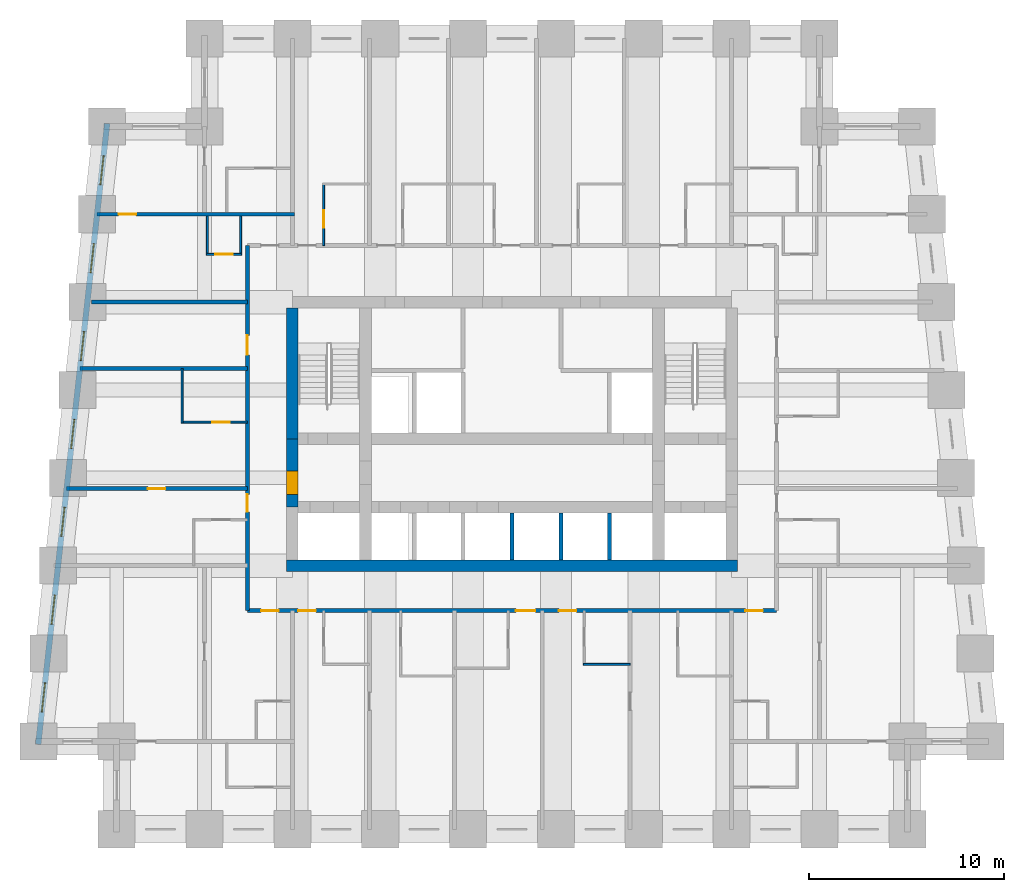
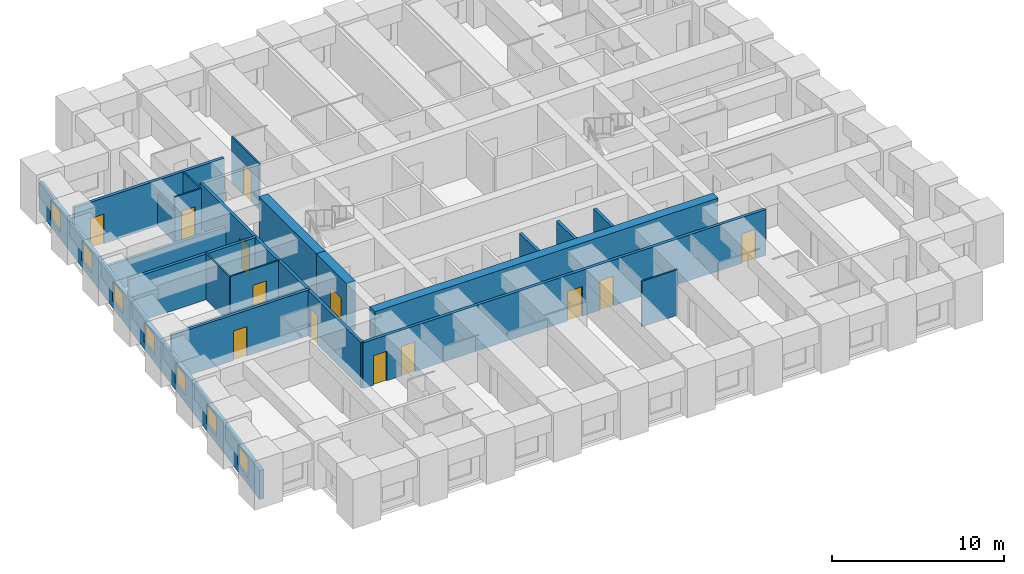
# One storey, part 3 of 8: 20 walls, 13 doors, 7 windows, 20 openings.
"""IFC4 building model written with IfcOpenShell, lengths in metres."""

from ifc_helpers import new_model, si_unit, direction, frame, frame_2d, origin, place, context, subcontext, project, spatial, rectangle, extrude, material, layer, layer_set, type_object, element, fill, save


model = new_model("IFC4")

# Units and contexts
model_context = context("Model", 3, precision=1e-05, world=origin(), true_north=direction((0.0, 1.0)))
body_context = subcontext(model_context, "Body", "Model", "MODEL_VIEW")
ifc_project = project(units=[si_unit("LENGTHUNIT", "METRE"), si_unit("AREAUNIT", "SQUARE_METRE"), si_unit("VOLUMEUNIT", "CUBIC_METRE"), si_unit("PLANEANGLEUNIT", "RADIAN"), si_unit("MASSUNIT", "GRAM", prefix="KILO")], contexts=[model_context])

# Site, building, storey
site_placement = place(None, origin())
site = spatial("IfcSite", under=ifc_project, at=site_placement, CompositionType="ELEMENT")
building_placement = place(site_placement, origin())
building = spatial("IfcBuilding", under=site, at=building_placement, Name="Kilele Tower Hotel", CompositionType="ELEMENT")
storey_placement = place(building_placement, frame((0.0, 0.0, 57.699951171875)))
storey = spatial("IfcBuildingStorey", under=building, at=storey_placement, Name="L13", CompositionType="ELEMENT", Elevation=57.699951171875)

# Wall
ifc_material_1 = material(Name="Moisture-resistant board")
ifc_layer_1 = layer(ifc_material_1, 0.10009765625)
ifc_layer_set_1 = layer_set([ifc_layer_1], Name="Moisture-resistant board")
wall_type_1 = type_object("IfcWallType", Name="Bathroom partition 100", PredefinedType="PLUMBINGWALL", material=ifc_layer_set_1)
wall_1_placement = place(storey_placement, frame((28.39990234375, 8.449951171875, 0.0), z_axis=(0.0, 0.0, 1.0), x_axis=(1.0, 0.0, 0.0)))
element("IfcWall", 1, at=wall_1_placement, inside=storey, type_object=wall_type_1, Name="Bathroom partition 100 L13", PredefinedType="PLUMBINGWALL", context=body_context, shape_type="SweptSolid", body=[
    extrude(rectangle(XDim=2.400146484375, YDim=0.10009765625, at=frame_2d((1.2001953125, 0.0))), origin(), (0.0, 0.0, 1.0), 3.25),
])

# Wall, opening, door
wall_2_placement = place(storey_placement, frame((15.10009765625, 29.89990234375, 0.0), z_axis=(0.0, 0.0, 1.0), x_axis=(0.0, 1.0, 0.0)))
wall_2 = element("IfcWall", 2, at=wall_2_placement, inside=storey, type_object=wall_type_1, Name="Bathroom partition 100 L13", PredefinedType="PLUMBINGWALL", context=body_context, shape_type="SweptSolid", body=[
    extrude(rectangle(XDim=3.2001953125, YDim=0.10009765625, at=frame_2d((1.60009765625, 0.0))), origin(), (0.0, 0.0, 1.0), 3.25),
])
opening_1_placement = place(wall_2_placement, frame((0.89990234375, 0.0, 0.0)))
opening_1 = element("IfcOpeningElement", 3, at=opening_1_placement, cuts=wall_2, Name="Opening D2A", PredefinedType="OPENING", context=body_context, shape_type="SweptSolid", body=[
    extrude(rectangle(XDim=0.89990234375, YDim=2.10009765625, at=frame_2d((0.449951171875, 1.050048828125))), frame((0.0, 0.06005859375, 0.0), z_axis=(0.0, -1.0, 0.0), x_axis=(1.0, 0.0, 0.0)), (0.0, 0.0, 1.0), 0.1201171875),
])
ifc_material_2 = material(Name="Timber door leaf in hardwood frame", Category="wood")
door_type_1 = type_object("IfcDoorType", Name="Bathroom door 900", OperationType="SINGLE_SWING_LEFT", PredefinedType="DOOR", material=ifc_material_2)
door_1_placement = place(opening_1_placement, origin())
door_1 = element("IfcDoor", 4, at=door_1_placement, inside=storey, type_object=door_type_1, Name="Bathroom door 1309B", OperationType="SINGLE_SWING_LEFT", OverallHeight=2.10009765625, OverallWidth=0.89990234375, PredefinedType="DOOR", context=body_context, shape_type="SweptSolid", body=[
    extrude(rectangle(XDim=0.89990234375, YDim=2.10009765625, at=frame_2d((0.449951171875, 1.050048828125))), frame((0.0, 0.02490234375, 0.0), z_axis=(0.0, -1.0, 0.0), x_axis=(1.0, 0.0, 0.0)), (0.0, 0.0, 1.0), 0.050048828125),
])
fill(opening_1, door_1)

# Wall
wall_3_placement = place(storey_placement, frame((7.85009765625, 20.800048828125, 0.0), z_axis=(0.0, 0.0, 1.0), x_axis=(0.0, 1.0, 0.0)))
element("IfcWall", 5, at=wall_3_placement, inside=storey, type_object=wall_type_1, Name="Bathroom partition 100 L13", PredefinedType="PLUMBINGWALL", context=body_context, shape_type="SweptSolid", body=[
    extrude(rectangle(XDim=2.800048828125, YDim=0.10009765625, at=frame_2d((1.39990234375, 0.0))), origin(), (0.0, 0.0, 1.0), 3.25),
])

# Wall, opening, door
wall_4_placement = place(storey_placement, frame((11.199951171875, 20.85009765625, 0.0), z_axis=(0.0, 0.0, 1.0), x_axis=(-1.0, 0.0, 0.0)))
wall_4 = element("IfcWall", 6, at=wall_4_placement, inside=storey, type_object=wall_type_1, Name="Bathroom partition 100 L13", PredefinedType="PLUMBINGWALL", context=body_context, shape_type="SweptSolid", body=[
    extrude(rectangle(XDim=3.39990234375, YDim=0.10009765625, at=frame_2d((1.699951171875, 0.0))), origin(), (0.0, 0.0, 1.0), 3.25),
])
opening_2_placement = place(wall_4_placement, frame((0.89990234375, 0.0, 0.0)))
opening_2 = element("IfcOpeningElement", 7, at=opening_2_placement, cuts=wall_4, Name="Opening D2A", PredefinedType="OPENING", context=body_context, shape_type="SweptSolid", body=[
    extrude(rectangle(XDim=0.89990234375, YDim=2.10009765625, at=frame_2d((0.449951171875, 1.050048828125))), frame((0.0, 0.06005859375, 0.0), z_axis=(0.0, -1.0, 0.0), x_axis=(1.0, 0.0, 0.0)), (0.0, 0.0, 1.0), 0.1201171875),
])
door_2_placement = place(opening_2_placement, origin())
door_2 = element("IfcDoor", 8, at=door_2_placement, inside=storey, type_object=door_type_1, Name="Bathroom door 1315B", OperationType="SINGLE_SWING_LEFT", OverallHeight=2.10009765625, OverallWidth=0.89990234375, PredefinedType="DOOR", context=body_context, shape_type="SweptSolid", body=[
    extrude(rectangle(XDim=0.89990234375, YDim=2.10009765625, at=frame_2d((0.449951171875, 1.050048828125))), frame((0.0, 0.02490234375, 0.0), z_axis=(0.0, -1.0, 0.0), x_axis=(1.0, 0.0, 0.0)), (0.0, 0.0, 1.0), 0.050048828125),
])
fill(opening_2, door_2)

# Walls
wall_5_placement = place(storey_placement, frame((9.14990234375, 31.39990234375, 0.0), z_axis=(0.0, 0.0, 1.0), x_axis=(0.0, -1.0, 0.0)))
element("IfcWall", 9, at=wall_5_placement, inside=storey, type_object=wall_type_1, Name="Bathroom partition 100 L13", PredefinedType="PLUMBINGWALL", context=body_context, shape_type="SweptSolid", body=[
    extrude(rectangle(XDim=2.0, YDim=0.10009765625, at=frame_2d((1.0, 0.0))), origin(), (0.0, 0.0, 1.0), 2.25),
])
wall_6_placement = place(storey_placement, frame((10.85009765625, 31.39990234375, 0.0), z_axis=(0.0, 0.0, 1.0), x_axis=(0.0, -1.0, 0.0)))
element("IfcWall", 10, at=wall_6_placement, inside=storey, type_object=wall_type_1, Name="Bathroom partition 100 L13", PredefinedType="PLUMBINGWALL", context=body_context, shape_type="SweptSolid", body=[
    extrude(rectangle(XDim=2.0, YDim=0.10009765625, at=frame_2d((1.0, 0.0))), origin(), (0.0, 0.0, 1.0), 3.25),
])

# Wall, opening, door
wall_7_placement = place(storey_placement, frame((10.89990234375, 29.449951171875, 0.0), z_axis=(0.0, 0.0, 1.0), x_axis=(-1.0, 0.0, 0.0)))
wall_7 = element("IfcWall", 11, at=wall_7_placement, inside=storey, type_object=wall_type_1, Name="Bathroom partition 100 L13", PredefinedType="PLUMBINGWALL", context=body_context, shape_type="SweptSolid", body=[
    extrude(rectangle(XDim=1.7998046875, YDim=0.10009765625, at=frame_2d((0.89990234375, 0.0))), origin(), (0.0, 0.0, 1.0), 3.25),
])
opening_3_placement = place(wall_7_placement, frame((0.449951171875, 0.0, 0.0)))
opening_3 = element("IfcOpeningElement", 12, at=opening_3_placement, cuts=wall_7, Name="Opening D2A", PredefinedType="OPENING", context=body_context, shape_type="SweptSolid", body=[
    extrude(rectangle(XDim=0.89990234375, YDim=2.10009765625, at=frame_2d((0.449951171875, 1.050048828125))), frame((0.0, 0.06005859375, 0.0), z_axis=(0.0, -1.0, 0.0), x_axis=(1.0, 0.0, 0.0)), (0.0, 0.0, 1.0), 0.1201171875),
])
door_3_placement = place(opening_3_placement, origin())
door_3 = element("IfcDoor", 13, at=door_3_placement, inside=storey, type_object=door_type_1, Name="Bathroom door 1326P", OperationType="SINGLE_SWING_LEFT", OverallHeight=2.10009765625, OverallWidth=0.89990234375, PredefinedType="DOOR", context=body_context, shape_type="SweptSolid", body=[
    extrude(rectangle(XDim=0.89990234375, YDim=2.10009765625, at=frame_2d((0.449951171875, 1.050048828125))), frame((0.0, 0.02490234375, 0.0), z_axis=(0.0, -1.0, 0.0), x_axis=(1.0, 0.0, 0.0)), (0.0, 0.0, 1.0), 0.050048828125),
])
fill(opening_3, door_3)

# Walls
ifc_material_3 = material(Name="Concrete C60/75", Category="concrete")
ifc_layer_2 = layer(ifc_material_3, 0.60009765625)
ifc_layer_set_2 = layer_set([ifc_layer_2], Name="Concrete C60/75")
wall_type_2 = type_object("IfcWallType", Name="Core wall 600 C60/75", PredefinedType="SHEAR", material=ifc_layer_set_2)
wall_8_placement = place(storey_placement, frame((13.199951171875, 13.5, 0.0), z_axis=(0.0, 0.0, 1.0), x_axis=(1.0, 0.0, 0.0)))
element("IfcWall", 14, at=wall_8_placement, inside=storey, type_object=wall_type_2, Name="Core wall S L13", PredefinedType="SHEAR", context=body_context, shape_type="SweptSolid", body=[
    extrude(rectangle(XDim=23.10009765625, YDim=0.60009765625, at=frame_2d((11.550048828125, 0.0))), origin(), (0.0, 0.0, 1.0), 3.5),
])
wall_9_placement = place(storey_placement, frame((13.5, 26.699951171875, 0.0), z_axis=(0.0, 0.0, 1.0), x_axis=(0.0, -1.0, 0.0)))
element("IfcWall", 15, at=wall_9_placement, inside=storey, type_object=wall_type_2, Name="Core wall W1 L13", PredefinedType="SHEAR", context=body_context, shape_type="SweptSolid", body=[
    extrude(rectangle(XDim=6.699951171875, YDim=0.60009765625, at=frame_2d((3.35009765625, 0.0))), origin(), (0.0, 0.0, 1.0), 3.5),
])

# Wall, opening, door
wall_10_placement = place(storey_placement, frame((13.5, 20.0, 0.0), z_axis=(0.0, 0.0, 1.0), x_axis=(0.0, -1.0, 0.0)))
wall_10 = element("IfcWall", 16, at=wall_10_placement, inside=storey, type_object=wall_type_2, Name="Core wall W2 L13", PredefinedType="SHEAR", context=body_context, shape_type="SweptSolid", body=[
    extrude(rectangle(XDim=3.5, YDim=0.60009765625, at=frame_2d((1.75, 0.0))), origin(), (0.0, 0.0, 1.0), 3.5),
])
opening_4_placement = place(wall_10_placement, frame((1.64990234375, 0.0, 0.0)))
opening_4 = element("IfcOpeningElement", 17, at=opening_4_placement, cuts=wall_10, Name="Opening D4", PredefinedType="OPENING", context=body_context, shape_type="SweptSolid", body=[
    extrude(rectangle(XDim=1.199951171875, YDim=2.10009765625, at=frame_2d((0.60009765625, 1.050048828125))), frame((0.0, 0.31005859375, 0.0), z_axis=(0.0, -1.0, 0.0), x_axis=(1.0, 0.0, 0.0)), (0.0, 0.0, 1.0), 0.6201171875),
])
ifc_material_4 = material(Name="Timber door leaf in hardwood frame", Category="wood")
door_type_2 = type_object("IfcDoorType", Name="Firefighting lobby door 1200", OperationType="SINGLE_SWING_LEFT", PredefinedType="DOOR", material=ifc_material_4)
door_4_placement = place(opening_4_placement, origin())
door_4 = element("IfcDoor", 18, at=door_4_placement, inside=storey, type_object=door_type_2, Name="Lobby door L13", OperationType="SINGLE_SWING_RIGHT", OverallHeight=2.10009765625, OverallWidth=1.199951171875, PredefinedType="DOOR", context=body_context, shape_type="SweptSolid", body=[
    extrude(rectangle(XDim=1.199951171875, YDim=2.10009765625, at=frame_2d((0.60009765625, 1.050048828125))), frame((0.0, 0.2998046875, 0.0), z_axis=(0.0, -1.0, 0.0), x_axis=(1.0, 0.0, 0.0)), (0.0, 0.0, 1.0), 0.599609375),
])
fill(opening_4, door_4)

# Wall, openings, doors
ifc_material_5 = material(Name="Blockwork, plastered both sides", Category="masonry")
ifc_layer_3 = layer(ifc_material_5, 0.199951171875)
ifc_layer_set_3 = layer_set([ifc_layer_3], Name="Blockwork, plastered both sides")
wall_type_3 = type_object("IfcWallType", Name="Corridor wall 200", PredefinedType="PARTITIONING", material=ifc_layer_set_3)
wall_11_placement = place(storey_placement, frame((11.199951171875, 11.199951171875, 0.0), z_axis=(0.0, 0.0, 1.0), x_axis=(1.0, 0.0, 0.0)))
wall_11 = element("IfcWall", 19, at=wall_11_placement, inside=storey, type_object=wall_type_3, Name="Corridor wall 200 L13", PredefinedType="PARTITIONING", context=body_context, shape_type="SweptSolid", body=[
    extrude(rectangle(XDim=27.10009765625, YDim=0.199951171875, at=frame_2d((13.550048828125, 0.0))), origin(), (0.0, 0.0, 1.0), 3.25),
])
opening_5_placement = place(wall_11_placement, frame((3.5, 0.0, 0.0), z_axis=(0.0, 0.0, 1.0), x_axis=(-1.0, 0.0, 0.0)))
opening_5 = element("IfcOpeningElement", 20, at=opening_5_placement, cuts=wall_11, Name="Opening D1", PredefinedType="OPENING", context=body_context, shape_type="SweptSolid", body=[
    extrude(rectangle(XDim=0.89990234375, YDim=2.10009765625, at=frame_2d((0.449951171875, 1.050048828125))), frame((0.0, 0.10986328125, 0.0), z_axis=(0.0, -1.0, 0.0), x_axis=(1.0, 0.0, 0.0)), (0.0, 0.0, 1.0), 0.219970703125),
])
opening_6_placement = place(wall_11_placement, frame((14.75, 0.0, 0.0), z_axis=(0.0, 0.0, 1.0), x_axis=(-1.0, 0.0, 0.0)))
opening_6 = element("IfcOpeningElement", 21, at=opening_6_placement, cuts=wall_11, Name="Opening D1A", PredefinedType="OPENING", context=body_context, shape_type="SweptSolid", body=[
    extrude(rectangle(XDim=1.0, YDim=2.10009765625, at=frame_2d((0.5, 1.050048828125))), frame((0.0, 0.10986328125, 0.0), z_axis=(0.0, -1.0, 0.0), x_axis=(1.0, 0.0, 0.0)), (0.0, 0.0, 1.0), 0.219970703125),
])
opening_7_placement = place(wall_11_placement, frame((16.849853515625, 0.0, 0.0), z_axis=(0.0, 0.0, 1.0), x_axis=(-1.0, 0.0, 0.0)))
opening_7 = element("IfcOpeningElement", 22, at=opening_7_placement, cuts=wall_11, Name="Opening D1", PredefinedType="OPENING", context=body_context, shape_type="SweptSolid", body=[
    extrude(rectangle(XDim=0.89990234375, YDim=2.10009765625, at=frame_2d((0.449951171875, 1.050048828125))), frame((0.0, 0.10986328125, 0.0), z_axis=(0.0, -1.0, 0.0), x_axis=(1.0, 0.0, 0.0)), (0.0, 0.0, 1.0), 0.219970703125),
])
opening_8_placement = place(wall_11_placement, frame((1.599853515625, 0.0, 0.0), z_axis=(0.0, 0.0, 1.0), x_axis=(-1.0, 0.0, 0.0)))
opening_8 = element("IfcOpeningElement", 23, at=opening_8_placement, cuts=wall_11, Name="Opening D1", PredefinedType="OPENING", context=body_context, shape_type="SweptSolid", body=[
    extrude(rectangle(XDim=0.89990234375, YDim=2.10009765625, at=frame_2d((0.449951171875, 1.050048828125))), frame((0.0, 0.10986328125, 0.0), z_axis=(0.0, -1.0, 0.0), x_axis=(1.0, 0.0, 0.0)), (0.0, 0.0, 1.0), 0.219970703125),
])
opening_9_placement = place(wall_11_placement, frame((26.39990234375, 0.0, 0.0), z_axis=(0.0, 0.0, 1.0), x_axis=(-1.0, 0.0, 0.0)))
opening_9 = element("IfcOpeningElement", 24, at=opening_9_placement, cuts=wall_11, Name="Opening D1", PredefinedType="OPENING", context=body_context, shape_type="SweptSolid", body=[
    extrude(rectangle(XDim=0.89990234375, YDim=2.10009765625, at=frame_2d((0.449951171875, 1.050048828125))), frame((0.0, 0.10986328125, 0.0), z_axis=(0.0, -1.0, 0.0), x_axis=(1.0, 0.0, 0.0)), (0.0, 0.0, 1.0), 0.219970703125),
])
ifc_material_6 = material(Name="Timber door leaf in hardwood frame", Category="wood")
door_type_3 = type_object("IfcDoorType", Name="Guest room entrance door 1000", OperationType="SINGLE_SWING_LEFT", PredefinedType="DOOR", material=ifc_material_6)
door_5_placement = place(opening_6_placement, origin())
door_5 = element("IfcDoor", 25, at=door_5_placement, inside=storey, type_object=door_type_3, Name="Room entrance 1303", OperationType="SINGLE_SWING_LEFT", OverallHeight=2.10009765625, OverallWidth=1.0, PredefinedType="DOOR", context=body_context, shape_type="SweptSolid", body=[
    extrude(rectangle(XDim=1.0, YDim=2.10009765625, at=frame_2d((0.5, 1.050048828125))), frame((0.0, 0.02490234375, 0.0), z_axis=(0.0, -1.0, 0.0), x_axis=(1.0, 0.0, 0.0)), (0.0, 0.0, 1.0), 0.050048828125),
])
fill(opening_6, door_5)
ifc_material_7 = material(Name="Timber door leaf in hardwood frame", Category="wood")
door_type_4 = type_object("IfcDoorType", Name="Guest room entrance door 900", OperationType="SINGLE_SWING_LEFT", PredefinedType="DOOR", material=ifc_material_7)
door_6_placement = place(opening_5_placement, origin())
door_6 = element("IfcDoor", 26, at=door_6_placement, inside=storey, type_object=door_type_4, Name="Room entrance 1301", OperationType="SINGLE_SWING_RIGHT", OverallHeight=2.10009765625, OverallWidth=0.89990234375, PredefinedType="DOOR", context=body_context, shape_type="SweptSolid", body=[
    extrude(rectangle(XDim=0.89990234375, YDim=2.10009765625, at=frame_2d((0.449951171875, 1.050048828125))), frame((0.0, 0.02490234375, 0.0), z_axis=(0.0, -1.0, 0.0), x_axis=(1.0, 0.0, 0.0)), (0.0, 0.0, 1.0), 0.050048828125),
])
fill(opening_5, door_6)
door_7_placement = place(opening_7_placement, origin())
door_7 = element("IfcDoor", 27, at=door_7_placement, inside=storey, type_object=door_type_4, Name="Room entrance 1304", OperationType="SINGLE_SWING_LEFT", OverallHeight=2.10009765625, OverallWidth=0.89990234375, PredefinedType="DOOR", context=body_context, shape_type="SweptSolid", body=[
    extrude(rectangle(XDim=0.89990234375, YDim=2.10009765625, at=frame_2d((0.449951171875, 1.050048828125))), frame((0.0, 0.02490234375, 0.0), z_axis=(0.0, -1.0, 0.0), x_axis=(1.0, 0.0, 0.0)), (0.0, 0.0, 1.0), 0.050048828125),
])
fill(opening_7, door_7)
door_8_placement = place(opening_8_placement, origin())
door_8 = element("IfcDoor", 28, at=door_8_placement, inside=storey, type_object=door_type_4, Name="Room entrance 1317", OperationType="SINGLE_SWING_LEFT", OverallHeight=2.10009765625, OverallWidth=0.89990234375, PredefinedType="DOOR", context=body_context, shape_type="SweptSolid", body=[
    extrude(rectangle(XDim=0.89990234375, YDim=2.10009765625, at=frame_2d((0.449951171875, 1.050048828125))), frame((0.0, 0.02490234375, 0.0), z_axis=(0.0, -1.0, 0.0), x_axis=(1.0, 0.0, 0.0)), (0.0, 0.0, 1.0), 0.050048828125),
])
fill(opening_8, door_8)
door_9_placement = place(opening_9_placement, origin())
door_9 = element("IfcDoor", 29, at=door_9_placement, inside=storey, type_object=door_type_4, Name="Room entrance 1320", OperationType="SINGLE_SWING_RIGHT", OverallHeight=2.10009765625, OverallWidth=0.89990234375, PredefinedType="DOOR", context=body_context, shape_type="SweptSolid", body=[
    extrude(rectangle(XDim=0.89990234375, YDim=2.10009765625, at=frame_2d((0.449951171875, 1.050048828125))), frame((0.0, 0.02490234375, 0.0), z_axis=(0.0, -1.0, 0.0), x_axis=(1.0, 0.0, 0.0)), (0.0, 0.0, 1.0), 0.050048828125),
])
fill(opening_9, door_9)

wall_12_placement = place(storey_placement, frame((11.199951171875, 11.199951171875, 0.0), z_axis=(0.0, 0.0, 1.0), x_axis=(0.0, 1.0, 0.0)))
wall_12 = element("IfcWall", 30, at=wall_12_placement, inside=storey, type_object=wall_type_3, Name="Corridor wall 200 L13", PredefinedType="PARTITIONING", context=body_context, shape_type="SweptSolid", body=[
    extrude(rectangle(XDim=18.699951171875, YDim=0.199951171875, at=frame_2d((9.35009765625, 0.0))), origin(), (0.0, 0.0, 1.0), 3.25),
])
opening_10_placement = place(wall_12_placement, frame((5.050048828125, 0.0, 0.0)))
opening_10 = element("IfcOpeningElement", 31, at=opening_10_placement, cuts=wall_12, Name="Opening D1", PredefinedType="OPENING", context=body_context, shape_type="SweptSolid", body=[
    extrude(rectangle(XDim=0.89990234375, YDim=2.10009765625, at=frame_2d((0.449951171875, 1.050048828125))), frame((0.0, 0.10986328125, 0.0), z_axis=(0.0, -1.0, 0.0), x_axis=(1.0, 0.0, 0.0)), (0.0, 0.0, 1.0), 0.219970703125),
])
opening_11_placement = place(wall_12_placement, frame((13.10009765625, 0.0, 0.0)))
opening_11 = element("IfcOpeningElement", 32, at=opening_11_placement, cuts=wall_12, Name="Opening D8", PredefinedType="OPENING", context=body_context, shape_type="SweptSolid", body=[
    extrude(rectangle(XDim=1.0, YDim=2.10009765625, at=frame_2d((0.5, 1.050048828125))), frame((0.0, 0.10986328125, 0.0), z_axis=(0.0, -1.0, 0.0), x_axis=(1.0, 0.0, 0.0)), (0.0, 0.0, 1.0), 0.219970703125),
])
ifc_material_8 = material(Name="Timber door leaf in hardwood frame", Category="wood")
door_type_5 = type_object("IfcDoorType", Name="Door 1000", OperationType="SINGLE_SWING_LEFT", PredefinedType="DOOR", material=ifc_material_8)
door_10_placement = place(opening_11_placement, origin())
door_10 = element("IfcDoor", 33, at=door_10_placement, inside=storey, type_object=door_type_5, Name="Room entrance 1316", OperationType="SINGLE_SWING_LEFT", OverallHeight=2.10009765625, OverallWidth=1.0, PredefinedType="DOOR", context=body_context, shape_type="SweptSolid", body=[
    extrude(rectangle(XDim=1.0, YDim=2.10009765625, at=frame_2d((0.5, 1.050048828125))), frame((0.0, 0.02490234375, 0.0), z_axis=(0.0, -1.0, 0.0), x_axis=(1.0, 0.0, 0.0)), (0.0, 0.0, 1.0), 0.050048828125),
])
fill(opening_11, door_10)
door_11_placement = place(opening_10_placement, origin())
door_11 = element("IfcDoor", 34, at=door_11_placement, inside=storey, type_object=door_type_4, Name="Room entrance 1314", OperationType="SINGLE_SWING_RIGHT", OverallHeight=2.10009765625, OverallWidth=0.89990234375, PredefinedType="DOOR", context=body_context, shape_type="SweptSolid", body=[
    extrude(rectangle(XDim=0.89990234375, YDim=2.10009765625, at=frame_2d((0.449951171875, 1.050048828125))), frame((0.0, 0.02490234375, 0.0), z_axis=(0.0, -1.0, 0.0), x_axis=(1.0, 0.0, 0.0)), (0.0, 0.0, 1.0), 0.050048828125),
])
fill(opening_10, door_11)

# Wall, opening, door
ifc_material_9 = material(Name="Blockwork, plastered both sides", Category="masonry")
ifc_layer_4 = layer(ifc_material_9, 0.199951171875)
ifc_layer_set_4 = layer_set([ifc_layer_4], Name="Blockwork, plastered both sides")
wall_type_4 = type_object("IfcWallType", Name="Party wall 200", PredefinedType="PARTITIONING", material=ifc_layer_set_4)
wall_13_placement = place(storey_placement, frame((11.199951171875, 17.449951171875, 0.0), z_axis=(0.0, 0.0, 1.0), x_axis=(-1.0, 0.0, 0.0)))
wall_13 = element("IfcWall", 35, at=wall_13_placement, inside=storey, type_object=wall_type_4, Name="Party wall 200 L13", PredefinedType="PARTITIONING", context=body_context, shape_type="SweptSolid", body=[
    extrude(rectangle(XDim=9.26025390625, YDim=0.199951171875, at=frame_2d((4.630126953125, 0.0))), origin(), (0.0, 0.0, 1.0), 3.25),
])
opening_12_placement = place(wall_13_placement, frame((4.199951171875, 0.0, 0.0)))
opening_12 = element("IfcOpeningElement", 36, at=opening_12_placement, cuts=wall_13, Name="Opening D3", PredefinedType="OPENING", context=body_context, shape_type="SweptSolid", body=[
    extrude(rectangle(XDim=0.89990234375, YDim=2.10009765625, at=frame_2d((0.449951171875, 1.050048828125))), frame((0.0, 0.10986328125, 0.0), z_axis=(0.0, -1.0, 0.0), x_axis=(1.0, 0.0, 0.0)), (0.0, 0.0, 1.0), 0.219970703125),
])
ifc_material_10 = material(Name="Timber door leaf in hardwood frame", Category="wood")
door_type_6 = type_object("IfcDoorType", Name="Suite internal door 900", OperationType="SINGLE_SWING_LEFT", PredefinedType="DOOR", material=ifc_material_10)
door_12_placement = place(opening_12_placement, origin())
door_12 = element("IfcDoor", 37, at=door_12_placement, inside=storey, type_object=door_type_6, Name="Suite door 1315", OperationType="SINGLE_SWING_RIGHT", OverallHeight=2.10009765625, OverallWidth=0.89990234375, PredefinedType="DOOR", context=body_context, shape_type="SweptSolid", body=[
    extrude(rectangle(XDim=0.89990234375, YDim=2.10009765625, at=frame_2d((0.449951171875, 1.050048828125))), frame((0.0, 0.02490234375, 0.0), z_axis=(0.0, -1.0, 0.0), x_axis=(1.0, 0.0, 0.0)), (0.0, 0.0, 1.0), 0.050048828125),
])
fill(opening_12, door_12)

# Walls
wall_14_placement = place(storey_placement, frame((11.199951171875, 23.60009765625, 0.0), z_axis=(0.0, 0.0, 1.0), x_axis=(-1.0, 0.0, 0.0)))
element("IfcWall", 38, at=wall_14_placement, inside=storey, type_object=wall_type_4, Name="Party wall 200 L13", PredefinedType="PARTITIONING", context=body_context, shape_type="SweptSolid", body=[
    extrude(rectangle(XDim=8.576904296875, YDim=0.199951171875, at=frame_2d((4.28857421875, 0.0))), origin(), (0.0, 0.0, 1.0), 3.25),
])
wall_15_placement = place(storey_placement, frame((11.199951171875, 27.0, 0.0), z_axis=(0.0, 0.0, 1.0), x_axis=(-1.0, 0.0, 0.0)))
element("IfcWall", 39, at=wall_15_placement, inside=storey, type_object=wall_type_4, Name="Party wall 200 L13", PredefinedType="PARTITIONING", context=body_context, shape_type="SweptSolid", body=[
    extrude(rectangle(XDim=7.976806640625, YDim=0.199951171875, at=frame_2d((3.98828125, 0.0))), origin(), (0.0, 0.0, 1.0), 1.949951171875),
])

# Wall, opening, door
wall_16_placement = place(storey_placement, frame((13.60009765625, 31.5, 0.0), z_axis=(0.0, 0.0, 1.0), x_axis=(-1.0, 0.0, 0.0)))
wall_16 = element("IfcWall", 40, at=wall_16_placement, inside=storey, type_object=wall_type_4, Name="Party wall 200 L13", PredefinedType="PARTITIONING", context=body_context, shape_type="SweptSolid", body=[
    extrude(rectangle(XDim=10.09912109375, YDim=0.199951171875, at=frame_2d((5.049560546875, 0.0))), origin(), (0.0, 0.0, 1.0), 3.25),
])
opening_13_placement = place(wall_16_placement, frame((8.9990234375, 0.0, 0.0), z_axis=(0.0, 0.0, 1.0), x_axis=(-1.0, 0.0, 0.0)))
opening_13 = element("IfcOpeningElement", 41, at=opening_13_placement, cuts=wall_16, Name="Opening D3", PredefinedType="OPENING", context=body_context, shape_type="SweptSolid", body=[
    extrude(rectangle(XDim=0.89990234375, YDim=2.10009765625, at=frame_2d((0.449951171875, 1.050048828125))), frame((0.0, 0.10986328125, 0.0), z_axis=(0.0, -1.0, 0.0), x_axis=(1.0, 0.0, 0.0)), (0.0, 0.0, 1.0), 0.219970703125),
])
door_13_placement = place(opening_13_placement, origin())
door_13 = element("IfcDoor", 42, at=door_13_placement, inside=storey, type_object=door_type_6, Name="Suite door 1327", OperationType="SINGLE_SWING_LEFT", OverallHeight=2.10009765625, OverallWidth=0.89990234375, PredefinedType="DOOR", context=body_context, shape_type="SweptSolid", body=[
    extrude(rectangle(XDim=0.89990234375, YDim=2.10009765625, at=frame_2d((0.449951171875, 1.050048828125))), frame((0.0, 0.02490234375, 0.0), z_axis=(0.0, -1.0, 0.0), x_axis=(1.0, 0.0, 0.0)), (0.0, 0.0, 1.0), 0.050048828125),
])
fill(opening_13, door_13)

# Wall, openings, windows
ifc_material_11 = material(Name="Concrete C40/50 precast", Category="concrete")
ifc_layer_5 = layer(ifc_material_11, 0.260009765625, Name="Precast backing", Category="LoadBearing")
ifc_material_12 = material(Name="Reconstituted stone finish", Category="masonry")
ifc_layer_6 = layer(ifc_material_12, 0.0400390625, Name="Face mix", Category="Finish")
ifc_layer_set_5 = layer_set([ifc_layer_5, ifc_layer_6], Name="Precast concrete C40/50, reconstituted stone finish")
wall_type_5 = type_object("IfcWallType", Name="Precast stone facade wall 300", PredefinedType="STANDARD", material=ifc_layer_set_5)
wall_17_placement = place(storey_placement, frame((4.0166015625, 36.149169921875, 0.0), z_axis=(0.0, 0.0, 1.0), x_axis=(-0.110433201132, -0.993883548555, 0.0)))
wall_17 = element("IfcWall", 43, at=wall_17_placement, inside=storey, type_object=wall_type_5, Name="Facade wall L13 edge 12", PredefinedType="STANDARD", context=body_context, shape_type="SweptSolid", body=[
    extrude(rectangle(XDim=31.994140625, YDim=0.300048828125, at=frame_2d((15.9970703125, 0.0))), origin(), (0.0, 0.0, 1.0), 2.050048828125),
])
opening_14_placement = place(wall_17_placement, frame((1.6640625, 0.0, 0.5)))
opening_14 = element("IfcOpeningElement", 44, at=opening_14_placement, cuts=wall_17, Name="Opening W1", PredefinedType="OPENING", context=body_context, shape_type="SweptSolid", body=[
    extrude(rectangle(XDim=1.5, YDim=1.39990234375, at=frame_2d((0.75, 0.699951171875))), frame((0.0, 0.159912109375, 0.0), z_axis=(0.0, -1.0, 0.0), x_axis=(1.0, 0.0, 0.0)), (0.0, 0.0, 1.0), 0.320068359375),
])
opening_15_placement = place(wall_17_placement, frame((6.19189453125, 0.0, 0.5)))
opening_15 = element("IfcOpeningElement", 45, at=opening_15_placement, cuts=wall_17, Name="Opening W1", PredefinedType="OPENING", context=body_context, shape_type="SweptSolid", body=[
    extrude(rectangle(XDim=1.5, YDim=1.39990234375, at=frame_2d((0.75, 0.699951171875))), frame((0.0, 0.159912109375, 0.0), z_axis=(0.0, -1.0, 0.0), x_axis=(1.0, 0.0, 0.0)), (0.0, 0.0, 1.0), 0.320068359375),
])
opening_16_placement = place(wall_17_placement, frame((10.718994140625, 0.0, 0.5)))
opening_16 = element("IfcOpeningElement", 46, at=opening_16_placement, cuts=wall_17, Name="Opening W1", PredefinedType="OPENING", context=body_context, shape_type="SweptSolid", body=[
    extrude(rectangle(XDim=1.5, YDim=1.39990234375, at=frame_2d((0.75, 0.699951171875))), frame((0.0, 0.159912109375, 0.0), z_axis=(0.0, -1.0, 0.0), x_axis=(1.0, 0.0, 0.0)), (0.0, 0.0, 1.0), 0.320068359375),
])
opening_17_placement = place(wall_17_placement, frame((15.2470703125, 0.0, 0.5)))
opening_17 = element("IfcOpeningElement", 47, at=opening_17_placement, cuts=wall_17, Name="Opening W1", PredefinedType="OPENING", context=body_context, shape_type="SweptSolid", body=[
    extrude(rectangle(XDim=1.5, YDim=1.39990234375, at=frame_2d((0.75, 0.699951171875))), frame((0.0, 0.159912109375, 0.0), z_axis=(0.0, -1.0, 0.0), x_axis=(1.0, 0.0, 0.0)), (0.0, 0.0, 1.0), 0.320068359375),
])
opening_18_placement = place(wall_17_placement, frame((19.77490234375, 0.0, 0.5)))
opening_18 = element("IfcOpeningElement", 48, at=opening_18_placement, cuts=wall_17, Name="Opening W1", PredefinedType="OPENING", context=body_context, shape_type="SweptSolid", body=[
    extrude(rectangle(XDim=1.5, YDim=1.39990234375, at=frame_2d((0.75, 0.699951171875))), frame((0.0, 0.159912109375, 0.0), z_axis=(0.0, -1.0, 0.0), x_axis=(1.0, 0.0, 0.0)), (0.0, 0.0, 1.0), 0.320068359375),
])
opening_19_placement = place(wall_17_placement, frame((24.302001953125, 0.0, 0.5)))
opening_19 = element("IfcOpeningElement", 49, at=opening_19_placement, cuts=wall_17, Name="Opening W1", PredefinedType="OPENING", context=body_context, shape_type="SweptSolid", body=[
    extrude(rectangle(XDim=1.5, YDim=1.39990234375, at=frame_2d((0.75, 0.699951171875))), frame((0.0, 0.159912109375, 0.0), z_axis=(0.0, -1.0, 0.0), x_axis=(1.0, 0.0, 0.0)), (0.0, 0.0, 1.0), 0.320068359375),
])
opening_20_placement = place(wall_17_placement, frame((28.830078125, 0.0, 0.5)))
opening_20 = element("IfcOpeningElement", 50, at=opening_20_placement, cuts=wall_17, Name="Opening W1", PredefinedType="OPENING", context=body_context, shape_type="SweptSolid", body=[
    extrude(rectangle(XDim=1.5, YDim=1.39990234375, at=frame_2d((0.75, 0.699951171875))), frame((0.0, 0.159912109375, 0.0), z_axis=(0.0, -1.0, 0.0), x_axis=(1.0, 0.0, 0.0)), (0.0, 0.0, 1.0), 0.320068359375),
])
ifc_material_13 = material(Name="Aluminium frame, clear double glazing", Category="aluminium")
window_type = type_object("IfcWindowType", Name="Window W1 1500 x 1400", PartitioningType="SINGLE_PANEL", PredefinedType="WINDOW", material=ifc_material_13)
window_1_placement = place(opening_14_placement, origin())
window_1 = element("IfcWindow", 51, at=window_1_placement, inside=storey, type_object=window_type, Name="Window L13", OverallHeight=1.39990234375, OverallWidth=1.5, PartitioningType="SINGLE_PANEL", PredefinedType="WINDOW", context=body_context, shape_type="SweptSolid", body=[
    extrude(rectangle(XDim=1.5, YDim=1.39990234375, at=frame_2d((0.75, 0.699951171875))), frame((0.0, 0.030029296875, 0.0), z_axis=(0.0, -1.0, 0.0), x_axis=(1.0, 0.0, 0.0)), (0.0, 0.0, 1.0), 0.06005859375),
])
fill(opening_14, window_1)
window_2_placement = place(opening_15_placement, origin())
window_2 = element("IfcWindow", 52, at=window_2_placement, inside=storey, type_object=window_type, Name="Window L13", OverallHeight=1.39990234375, OverallWidth=1.5, PartitioningType="SINGLE_PANEL", PredefinedType="WINDOW", context=body_context, shape_type="SweptSolid", body=[
    extrude(rectangle(XDim=1.5, YDim=1.39990234375, at=frame_2d((0.75, 0.699951171875))), frame((0.0, 0.030029296875, 0.0), z_axis=(0.0, -1.0, 0.0), x_axis=(1.0, 0.0, 0.0)), (0.0, 0.0, 1.0), 0.06005859375),
])
fill(opening_15, window_2)
window_3_placement = place(opening_16_placement, origin())
window_3 = element("IfcWindow", 53, at=window_3_placement, inside=storey, type_object=window_type, Name="Window L13", OverallHeight=1.39990234375, OverallWidth=1.5, PartitioningType="SINGLE_PANEL", PredefinedType="WINDOW", context=body_context, shape_type="SweptSolid", body=[
    extrude(rectangle(XDim=1.5, YDim=1.39990234375, at=frame_2d((0.75, 0.699951171875))), frame((0.0, 0.030029296875, 0.0), z_axis=(0.0, -1.0, 0.0), x_axis=(1.0, 0.0, 0.0)), (0.0, 0.0, 1.0), 0.06005859375),
])
fill(opening_16, window_3)
window_4_placement = place(opening_17_placement, origin())
window_4 = element("IfcWindow", 54, at=window_4_placement, inside=storey, type_object=window_type, Name="Window L13", OverallHeight=1.39990234375, OverallWidth=1.5, PartitioningType="SINGLE_PANEL", PredefinedType="WINDOW", context=body_context, shape_type="SweptSolid", body=[
    extrude(rectangle(XDim=1.5, YDim=1.39990234375, at=frame_2d((0.75, 0.699951171875))), frame((0.0, 0.030029296875, 0.0), z_axis=(0.0, -1.0, 0.0), x_axis=(1.0, 0.0, 0.0)), (0.0, 0.0, 1.0), 0.06005859375),
])
fill(opening_17, window_4)
window_5_placement = place(opening_18_placement, origin())
window_5 = element("IfcWindow", 55, at=window_5_placement, inside=storey, type_object=window_type, Name="Window L13", OverallHeight=1.39990234375, OverallWidth=1.5, PartitioningType="SINGLE_PANEL", PredefinedType="WINDOW", context=body_context, shape_type="SweptSolid", body=[
    extrude(rectangle(XDim=1.5, YDim=1.39990234375, at=frame_2d((0.75, 0.699951171875))), frame((0.0, 0.030029296875, 0.0), z_axis=(0.0, -1.0, 0.0), x_axis=(1.0, 0.0, 0.0)), (0.0, 0.0, 1.0), 0.06005859375),
])
fill(opening_18, window_5)
window_6_placement = place(opening_19_placement, origin())
window_6 = element("IfcWindow", 56, at=window_6_placement, inside=storey, type_object=window_type, Name="Window L13", OverallHeight=1.39990234375, OverallWidth=1.5, PartitioningType="SINGLE_PANEL", PredefinedType="WINDOW", context=body_context, shape_type="SweptSolid", body=[
    extrude(rectangle(XDim=1.5, YDim=1.39990234375, at=frame_2d((0.75, 0.699951171875))), frame((0.0, 0.030029296875, 0.0), z_axis=(0.0, -1.0, 0.0), x_axis=(1.0, 0.0, 0.0)), (0.0, 0.0, 1.0), 0.06005859375),
])
fill(opening_19, window_6)
window_7_placement = place(opening_20_placement, origin())
window_7 = element("IfcWindow", 57, at=window_7_placement, inside=storey, type_object=window_type, Name="Window L13", OverallHeight=1.39990234375, OverallWidth=1.5, PartitioningType="SINGLE_PANEL", PredefinedType="WINDOW", context=body_context, shape_type="SweptSolid", body=[
    extrude(rectangle(XDim=1.5, YDim=1.39990234375, at=frame_2d((0.75, 0.699951171875))), frame((0.0, 0.030029296875, 0.0), z_axis=(0.0, -1.0, 0.0), x_axis=(1.0, 0.0, 0.0)), (0.0, 0.0, 1.0), 0.06005859375),
])
fill(opening_20, window_7)

# Walls
ifc_material_14 = material(Name="Blockwork, fire-rated", Category="masonry")
ifc_layer_7 = layer(ifc_material_14, 0.199951171875)
ifc_layer_set_6 = layer_set([ifc_layer_7], Name="Blockwork, fire-rated")
wall_type_6 = type_object("IfcWallType", Name="Shaft wall 200", PredefinedType="PARTITIONING", material=ifc_layer_set_6)
for number, where, z_axis, x_axis, name in (
    (58, (24.75, 13.800048828125, 0.0), (0.0, 0.0, 1.0), (0.0, 1.0, 0.0), "Shaft wall 200 L13"),
    (59, (27.25, 13.800048828125, 0.0), (0.0, 0.0, 1.0), (0.0, 1.0, 0.0), "Shaft wall 200 L13"),
    (60, (29.75, 13.800048828125, 0.0), (0.0, 0.0, 1.0), (0.0, 1.0, 0.0), "Shaft wall 200 L13"),
):
    element("IfcWall", number, at=place(storey_placement, frame(where, z_axis=z_axis, x_axis=x_axis)), inside=storey, type_object=wall_type_6, Name=name, PredefinedType="PARTITIONING", context=body_context, shape_type="SweptSolid", body=[
        extrude(rectangle(XDim=2.39990234375, YDim=0.199951171875, at=frame_2d((1.199951171875, 0.0))), origin(), (0.0, 0.0, 1.0), 3.25),
    ])

save(model, "model.ifc")
